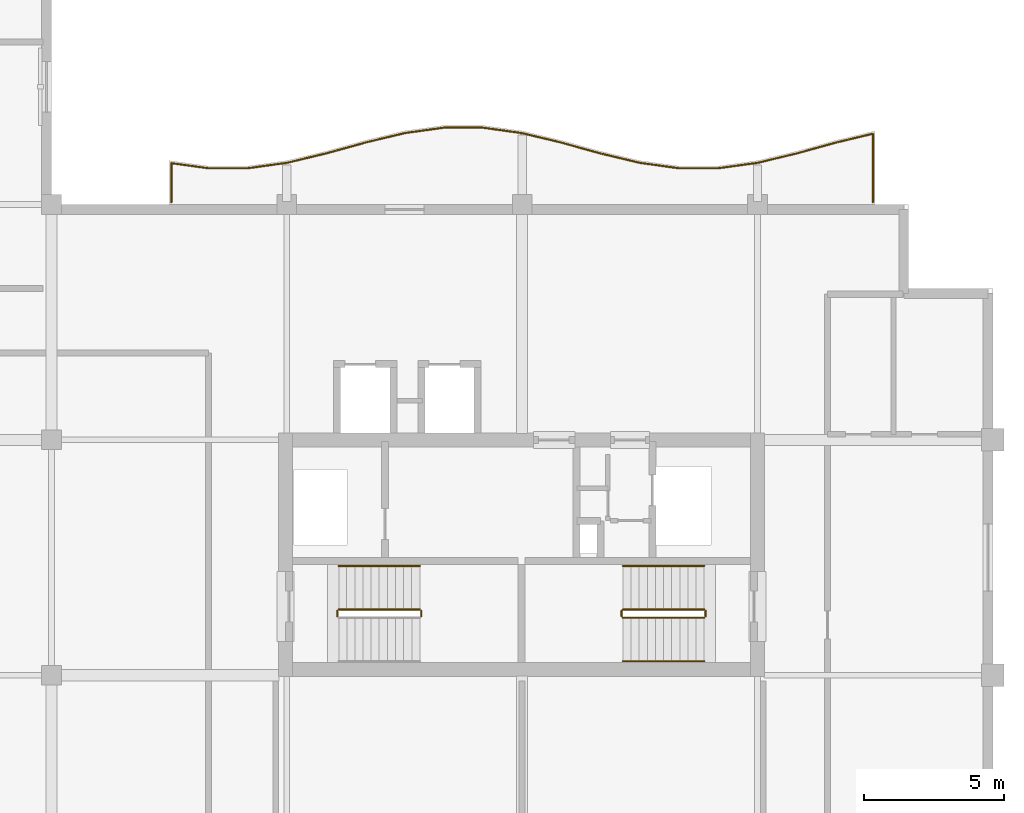
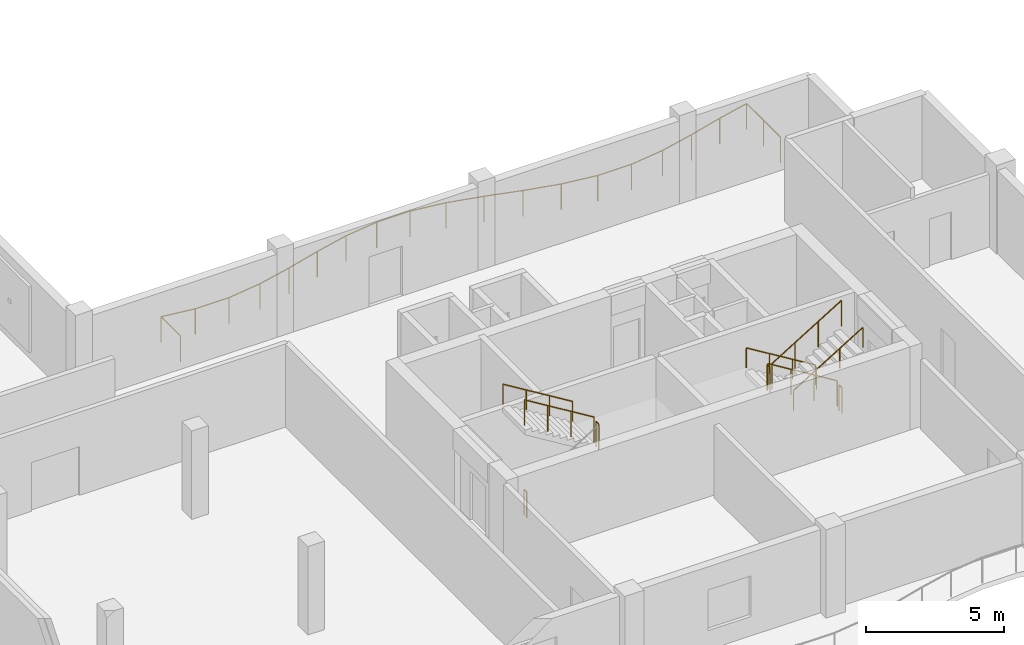
# One storey, part 10 of 11: 11 railings.
"""IFC4 building model written with IfcOpenShell, lengths in metres."""

from ifc_helpers import new_model, si_unit, direction, frame, origin, origin_2d, place, context, subcontext, project, spatial, circle, extrude, material, type_object, element, save


model = new_model("IFC4")

# Units and contexts
model_context = context("Model", 3, precision=1e-05, world=origin(), true_north=direction((0.0, 1.0)))
body_context = subcontext(model_context, "Body", "Model", "MODEL_VIEW")
ifc_project = project(units=[si_unit("LENGTHUNIT", "METRE"), si_unit("AREAUNIT", "SQUARE_METRE"), si_unit("VOLUMEUNIT", "CUBIC_METRE"), si_unit("PLANEANGLEUNIT", "RADIAN"), si_unit("MASSUNIT", "GRAM", prefix="KILO")], contexts=[model_context])

# Site, building, storey
site_placement = place(None, origin())
site = spatial("IfcSite", under=ifc_project, at=site_placement, CompositionType="ELEMENT")
building_placement = place(site_placement, origin())
building = spatial("IfcBuilding", under=site, at=building_placement, Name="Koriwani Terraces Tower", CompositionType="ELEMENT")
storey_placement = place(building_placement, frame((0.0, 0.0, 335.89990234375)))
storey = spatial("IfcBuildingStorey", under=building, at=storey_placement, Name="L83", CompositionType="ELEMENT", Elevation=335.89990234375)

# Railings
ifc_material = material(Name="Steel ASTM A572 Grade 50", Category="steel")
railing_type_1 = type_object("IfcRailingType", Name="GUARD_BALUSTRADE_1150", PredefinedType="BALUSTRADE", material=ifc_material)
railing_1_placement = place(storey_placement, frame((62.919921875, 33.679931640625, 0.0)))
element("IfcRailing", 1, at=railing_1_placement, inside=storey, type_object=railing_type_1, Name="L83 Balcony Perimeter Safety Balustrade (NE)", PredefinedType="BALUSTRADE", context=body_context, shape_type="SweptSolid", body=[
    extrude(circle(Radius=0.02392578125, at=origin_2d()), frame((0.0, 0.0, 1.1259765625), z_axis=(0.0, 1.0, 0.0), x_axis=(-1.0, 0.0, 0.0)), (0.0, 0.0, 1.0), 2.448974609375),
    extrude(circle(Radius=0.02392578125, at=origin_2d()), frame((0.0, 2.448974609375, 1.1259765625), z_axis=(-0.972335887086, -0.233587077307, 0.0), x_axis=(0.233587077307, -0.972335887086, 0.0)), (0.0, 0.0, 1.0), 1.336669921875),
    extrude(circle(Radius=0.02392578125, at=origin_2d()), frame((-1.2998046875, 2.13671875, 1.1259765625), z_axis=(-0.963650193341, -0.26716718525, 0.0), x_axis=(0.26716718525, -0.963650193341, 0.0)), (0.0, 0.0, 1.0), 1.452880859375),
    extrude(circle(Radius=0.02392578125, at=origin_2d()), frame((-2.699951171875, 1.74853515625, 1.1259765625), z_axis=(-0.972404167631, -0.233302667738, 0.0), x_axis=(0.233302667738, -0.972404167631, 0.0)), (0.0, 0.0, 1.0), 1.445068359375),
    extrude(circle(Radius=0.02392578125, at=origin_2d()), frame((-4.105224609375, 1.411376953125, 1.1259765625), z_axis=(-0.990531206111, -0.137287762455, 0.0), x_axis=(0.137287762455, -0.990531206111, 0.0)), (0.0, 0.0, 1.0), 1.422607421875),
    extrude(circle(Radius=0.02392578125, at=origin_2d()), frame((-5.514404296875, 1.216064453125, 1.1259765625), z_axis=(-1.0, 0.0, 0.0), x_axis=(0.0, -1.0, 0.0)), (0.0, 0.0, 1.0), 1.4111328125),
    extrude(circle(Radius=0.02392578125, at=origin_2d()), frame((-6.925537109375, 1.216064453125, 1.1259765625), z_axis=(-0.990531206111, 0.137287762455, 0.0), x_axis=(-0.137287762455, -0.990531206111, 0.0)), (0.0, 0.0, 1.0), 1.422607421875),
    extrude(circle(Radius=0.02392578125, at=origin_2d()), frame((-8.334716796875, 1.411376953125, 1.1259765625), z_axis=(-0.972404167631, 0.233302667738, 0.0), x_axis=(-0.233302667738, -0.972404167631, 0.0)), (0.0, 0.0, 1.0), 1.445068359375),
    extrude(circle(Radius=0.02392578125, at=origin_2d()), frame((-9.739990234375, 1.74853515625, 1.1259765625), z_axis=(-0.963638196753, 0.267210452187, 0.0), x_axis=(-0.267210452187, -0.963638196753, 0.0)), (0.0, 0.0, 1.0), 1.45263671875),
    extrude(circle(Radius=0.02392578125, at=origin_2d()), frame((-11.139892578125, 2.13671875, 1.1259765625), z_axis=(-0.972362581689, 0.23347592966, 0.0), x_axis=(-0.23347592966, -0.972362581689, 0.0)), (0.0, 0.0, 1.0), 1.4345703125),
    extrude(circle(Radius=0.02392578125, at=origin_2d()), frame((-12.534912109375, 2.4716796875, 1.1259765625), z_axis=(-0.990518583157, 0.137378806302, 0.0), x_axis=(-0.137378806302, -0.990518583157, 0.0)), (0.0, 0.0, 1.0), 1.404052734375),
    extrude(circle(Radius=0.02392578125, at=origin_2d()), frame((-13.925537109375, 2.66455078125, 1.1259765625), z_axis=(-1.0, 0.0, 0.0), x_axis=(0.0, -1.0, 0.0)), (0.0, 0.0, 1.0), 1.388916015625),
    extrude(circle(Radius=0.02392578125, at=origin_2d()), frame((-15.314453125, 2.66455078125, 1.1259765625), z_axis=(-0.990518583157, -0.137378806302, 0.0), x_axis=(0.137378806302, -0.990518583157, 0.0)), (0.0, 0.0, 1.0), 1.404052734375),
    extrude(circle(Radius=0.02392578125, at=origin_2d()), frame((-16.705078125, 2.4716796875, 1.1259765625), z_axis=(-0.972353303141, -0.233514568862, 0.0), x_axis=(0.233514568862, -0.972353303141, 0.0)), (0.0, 0.0, 1.0), 1.434326171875),
    extrude(circle(Radius=0.02392578125, at=origin_2d()), frame((-18.099853515625, 2.13671875, 1.1259765625), z_axis=(-0.963650193341, -0.26716718525, 0.0), x_axis=(0.26716718525, -0.963650193341, 0.0)), (0.0, 0.0, 1.0), 1.452880859375),
    extrude(circle(Radius=0.02392578125, at=origin_2d()), frame((-19.5, 1.74853515625, 1.1259765625), z_axis=(-0.972394970075, -0.233340999769, 0.0), x_axis=(0.233340999769, -0.972394970075, 0.0)), (0.0, 0.0, 1.0), 1.44482421875),
    extrude(circle(Radius=0.02392578125, at=origin_2d()), frame((-20.905029296875, 1.411376953125, 1.1259765625), z_axis=(-0.990534439774, -0.137264429555, 0.0), x_axis=(0.137264429555, -0.990534439774, 0.0)), (0.0, 0.0, 1.0), 1.4228515625),
    extrude(circle(Radius=0.02392578125, at=origin_2d()), frame((-22.314453125, 1.216064453125, 1.1259765625), z_axis=(-1.0, 0.0, 0.0), x_axis=(0.0, -1.0, 0.0)), (0.0, 0.0, 1.0), 1.410888671875),
    extrude(circle(Radius=0.02392578125, at=origin_2d()), frame((-23.725341796875, 1.216064453125, 1.1259765625), z_axis=(-0.99056523946, 0.137041987632, 0.0), x_axis=(-0.137041987632, -0.99056523946, 0.0)), (0.0, 0.0, 1.0), 1.3271484375),
    extrude(circle(Radius=0.02392578125, at=origin_2d()), frame((-25.0400390625, 1.39794921875, 1.1259765625), z_axis=(0.0, -1.0, 0.0), x_axis=(1.0, 0.0, 0.0)), (0.0, 0.0, 1.0), 1.39794921875),
    extrude(circle(Radius=0.02099609375, at=origin_2d()), origin(), (0.0, 0.0, 1.0), 1.101806640625),
    extrude(circle(Radius=0.02099609375, at=origin_2d()), frame((0.0, 1.224609375, 0.0)), (0.0, 0.0, 1.0), 1.101806640625),
    extrude(circle(Radius=0.02099609375, at=origin_2d()), frame((0.0, 2.448974609375, 0.0)), (0.0, 0.0, 1.0), 1.101806640625),
    extrude(circle(Radius=0.02099609375, at=origin_2d()), frame((-1.2998046875, 2.13671875, 0.0)), (0.0, 0.0, 1.0), 1.101806640625),
    extrude(circle(Radius=0.02099609375, at=origin_2d()), frame((-2.699951171875, 1.74853515625, 0.0)), (0.0, 0.0, 1.0), 1.101806640625),
    extrude(circle(Radius=0.02099609375, at=origin_2d()), frame((-4.105224609375, 1.411376953125, 0.0)), (0.0, 0.0, 1.0), 1.101806640625),
    extrude(circle(Radius=0.02099609375, at=origin_2d()), frame((-5.514404296875, 1.216064453125, 0.0)), (0.0, 0.0, 1.0), 1.101806640625),
    extrude(circle(Radius=0.02099609375, at=origin_2d()), frame((-6.925537109375, 1.216064453125, 0.0)), (0.0, 0.0, 1.0), 1.101806640625),
    extrude(circle(Radius=0.02099609375, at=origin_2d()), frame((-8.334716796875, 1.411376953125, 0.0)), (0.0, 0.0, 1.0), 1.101806640625),
    extrude(circle(Radius=0.02099609375, at=origin_2d()), frame((-9.739990234375, 1.74853515625, 0.0)), (0.0, 0.0, 1.0), 1.101806640625),
    extrude(circle(Radius=0.02099609375, at=origin_2d()), frame((-11.139892578125, 2.13671875, 0.0)), (0.0, 0.0, 1.0), 1.101806640625),
    extrude(circle(Radius=0.02099609375, at=origin_2d()), frame((-12.534912109375, 2.4716796875, 0.0)), (0.0, 0.0, 1.0), 1.101806640625),
    extrude(circle(Radius=0.02099609375, at=origin_2d()), frame((-13.925537109375, 2.66455078125, 0.0)), (0.0, 0.0, 1.0), 1.101806640625),
    extrude(circle(Radius=0.02099609375, at=origin_2d()), frame((-15.314453125, 2.66455078125, 0.0)), (0.0, 0.0, 1.0), 1.101806640625),
    extrude(circle(Radius=0.02099609375, at=origin_2d()), frame((-16.705078125, 2.4716796875, 0.0)), (0.0, 0.0, 1.0), 1.101806640625),
    extrude(circle(Radius=0.02099609375, at=origin_2d()), frame((-18.099853515625, 2.13671875, 0.0)), (0.0, 0.0, 1.0), 1.101806640625),
    extrude(circle(Radius=0.02099609375, at=origin_2d()), frame((-19.5, 1.74853515625, 0.0)), (0.0, 0.0, 1.0), 1.101806640625),
    extrude(circle(Radius=0.02099609375, at=origin_2d()), frame((-20.905029296875, 1.411376953125, 0.0)), (0.0, 0.0, 1.0), 1.101806640625),
    extrude(circle(Radius=0.02099609375, at=origin_2d()), frame((-22.314453125, 1.216064453125, 0.0)), (0.0, 0.0, 1.0), 1.101806640625),
    extrude(circle(Radius=0.02099609375, at=origin_2d()), frame((-23.725341796875, 1.216064453125, 0.0)), (0.0, 0.0, 1.0), 1.101806640625),
    extrude(circle(Radius=0.02099609375, at=origin_2d()), frame((-25.0400390625, 1.39794921875, 0.0)), (0.0, 0.0, 1.0), 1.101806640625),
    extrude(circle(Radius=0.02099609375, at=origin_2d()), frame((-25.0400390625, 0.0, 0.0)), (0.0, 0.0, 1.0), 1.101806640625),
])
railing_type_2 = type_object("IfcRailingType", Name="GUARD_STAIR_WELL_1120", PredefinedType="GUARDRAIL", material=ifc_material)
railing_2_placement = place(storey_placement, frame((46.800048828125, 18.89990234375, 1.9501953125)))
element("IfcRailing", 2, at=railing_2_placement, inside=storey, type_object=railing_type_2, Name="L83 ST-E1 stair guard 2", PredefinedType="GUARDRAIL", context=body_context, shape_type="SweptSolid", body=[
    extrude(circle(Radius=0.02392578125, at=origin_2d()), frame((0.0, 0.0, 1.1259765625), z_axis=(0.0, 1.0, 0.0), x_axis=(-1.0, 0.0, 0.0)), (0.0, 0.0, 1.0), 0.2001953125),
    extrude(circle(Radius=0.02099609375, at=origin_2d()), origin(), (0.0, 0.0, 1.0), 1.101806640625),
    extrude(circle(Radius=0.02099609375, at=origin_2d()), frame((0.0, 0.2001953125, 0.0)), (0.0, 0.0, 1.0), 1.101806640625),
])
railing_3_placement = place(storey_placement, frame((46.75, 19.14990234375, 2.12744140625)))
element("IfcRailing", 3, at=railing_3_placement, inside=storey, type_object=railing_type_2, Name="L83 ST-E1 stair guard 3", PredefinedType="GUARDRAIL", context=body_context, shape_type="SweptSolid", body=[
    extrude(circle(Radius=0.02392578125, at=origin_2d()), frame((0.0, 0.0, 1.1259765625), z_axis=(-0.853210801645, 0.0, 0.521566225858), x_axis=(0.0, -1.0, 0.0)), (0.0, 0.0, 1.0), 3.39892578125),
    extrude(circle(Radius=0.02099609375, at=origin_2d()), origin(), (0.0, 0.0, 1.0), 1.101806640625),
    extrude(circle(Radius=0.02099609375, at=origin_2d()), frame((-0.966552734375, 0.0, 0.5908203125)), (0.0, 0.0, 1.0), 1.101806640625),
    extrude(circle(Radius=0.02099609375, at=origin_2d()), frame((-1.933349609375, 0.0, 1.181884765625)), (0.0, 0.0, 1.0), 1.101806640625),
    extrude(circle(Radius=0.02099609375, at=origin_2d()), frame((-2.89990234375, 0.0, 1.772705078125)), (0.0, 0.0, 1.0), 1.101806640625),
])
railing_4_placement = place(storey_placement, frame((43.800048828125, 18.89990234375, 0.0)))
element("IfcRailing", 4, at=railing_4_placement, inside=storey, type_object=railing_type_2, Name="L83 ST-E1 stair guard 4", PredefinedType="GUARDRAIL", context=body_context, shape_type="SweptSolid", body=[
    extrude(circle(Radius=0.02392578125, at=origin_2d()), frame((0.0, 0.0, 1.1259765625), z_axis=(0.0, 1.0, 0.0), x_axis=(-1.0, 0.0, 0.0)), (0.0, 0.0, 1.0), 0.2001953125),
    extrude(circle(Radius=0.02099609375, at=origin_2d()), origin(), (0.0, 0.0, 1.0), 1.101806640625),
    extrude(circle(Radius=0.02099609375, at=origin_2d()), frame((0.0, 0.2001953125, 0.0)), (0.0, 0.0, 1.0), 1.101806640625),
])
railing_5_placement = place(storey_placement, frame((56.89990234375, 19.14990234375, 0.177490234375)))
element("IfcRailing", 5, at=railing_5_placement, inside=storey, type_object=railing_type_2, Name="L83 ST-E2 stair guard 1", PredefinedType="GUARDRAIL", context=body_context, shape_type="SweptSolid", body=[
    extrude(circle(Radius=0.02392578125, at=origin_2d()), frame((0.0, 0.0, 1.1259765625), z_axis=(-0.853210801645, 0.0, 0.521566225858), x_axis=(0.0, -1.0, 0.0)), (0.0, 0.0, 1.0), 3.39892578125),
    extrude(circle(Radius=0.02099609375, at=origin_2d()), origin(), (0.0, 0.0, 1.0), 1.101806640625),
    extrude(circle(Radius=0.02099609375, at=origin_2d()), frame((-0.966552734375, 0.0, 0.5908203125)), (0.0, 0.0, 1.0), 1.101806640625),
    extrude(circle(Radius=0.02099609375, at=origin_2d()), frame((-1.933349609375, 0.0, 1.181884765625)), (0.0, 0.0, 1.0), 1.101806640625),
    extrude(circle(Radius=0.02099609375, at=origin_2d()), frame((-2.89990234375, 0.0, 1.772705078125)), (0.0, 0.0, 1.0), 1.101806640625),
])
railing_6_placement = place(storey_placement, frame((53.949951171875, 19.10009765625, 1.9501953125)))
element("IfcRailing", 6, at=railing_6_placement, inside=storey, type_object=railing_type_2, Name="L83 ST-E2 stair guard 2", PredefinedType="GUARDRAIL", context=body_context, shape_type="SweptSolid", body=[
    extrude(circle(Radius=0.02392578125, at=origin_2d()), frame((0.0, 0.0, 1.1259765625), z_axis=(0.0, -1.0, 0.0), x_axis=(1.0, 0.0, 0.0)), (0.0, 0.0, 1.0), 0.2001953125),
    extrude(circle(Radius=0.02099609375, at=origin_2d()), origin(), (0.0, 0.0, 1.0), 1.101806640625),
    extrude(circle(Radius=0.02099609375, at=origin_2d()), frame((0.0, -0.2001953125, 0.0)), (0.0, 0.0, 1.0), 1.101806640625),
])
railing_7_placement = place(storey_placement, frame((54.0, 18.85009765625, 2.12744140625)))
element("IfcRailing", 7, at=railing_7_placement, inside=storey, type_object=railing_type_2, Name="L83 ST-E2 stair guard 3", PredefinedType="GUARDRAIL", context=body_context, shape_type="SweptSolid", body=[
    extrude(circle(Radius=0.02392578125, at=origin_2d()), frame((0.0, 0.0, 1.1259765625), z_axis=(0.853210801645, 0.0, 0.521566225858), x_axis=(0.0, 1.0, 0.0)), (0.0, 0.0, 1.0), 3.39892578125),
    extrude(circle(Radius=0.02099609375, at=origin_2d()), origin(), (0.0, 0.0, 1.0), 1.101806640625),
    extrude(circle(Radius=0.02099609375, at=origin_2d()), frame((0.966552734375, 0.0, 0.5908203125)), (0.0, 0.0, 1.0), 1.101806640625),
    extrude(circle(Radius=0.02099609375, at=origin_2d()), frame((1.933349609375, 0.0, 1.181884765625)), (0.0, 0.0, 1.0), 1.101806640625),
    extrude(circle(Radius=0.02099609375, at=origin_2d()), frame((2.89990234375, 0.0, 1.772705078125)), (0.0, 0.0, 1.0), 1.101806640625),
])
railing_8_placement = place(storey_placement, frame((56.949951171875, 19.10009765625, 0.0)))
element("IfcRailing", 8, at=railing_8_placement, inside=storey, type_object=railing_type_2, Name="L83 ST-E2 stair guard 4", PredefinedType="GUARDRAIL", context=body_context, shape_type="SweptSolid", body=[
    extrude(circle(Radius=0.02392578125, at=origin_2d()), frame((0.0, 0.0, 1.1259765625), z_axis=(0.0, -1.0, 0.0), x_axis=(1.0, 0.0, 0.0)), (0.0, 0.0, 1.0), 0.2001953125),
    extrude(circle(Radius=0.02099609375, at=origin_2d()), origin(), (0.0, 0.0, 1.0), 1.101806640625),
    extrude(circle(Radius=0.02099609375, at=origin_2d()), frame((0.0, -0.2001953125, 0.0)), (0.0, 0.0, 1.0), 1.101806640625),
])
railing_type_3 = type_object("IfcRailingType", Name="HANDRAIL_STAIR_920", PredefinedType="HANDRAIL", material=ifc_material)
for number, where, name in (
    (9, (46.75, 20.699951171875, 2.12744140625), "L83 ST-E1 stair handrail 2"),
    (10, (56.89990234375, 20.699951171875, 0.177490234375), "L83 ST-E2 stair handrail 1"),
):
    element("IfcRailing", number, at=place(storey_placement, frame(where)), inside=storey, type_object=railing_type_3, Name=name, PredefinedType="HANDRAIL", context=body_context, shape_type="SweptSolid", body=[
        extrude(circle(Radius=0.02392578125, at=origin_2d()), frame((0.0, 0.0, 0.8759765625), z_axis=(-0.853210801645, 0.0, 0.521566225858), x_axis=(0.0, -1.0, 0.0)), (0.0, 0.0, 1.0), 3.39892578125),
        extrude(circle(Radius=0.02099609375, at=origin_2d()), origin(), (0.0, 0.0, 1.0), 0.851806640625),
        extrude(circle(Radius=0.02099609375, at=origin_2d()), frame((-0.966552734375, 0.0, 0.5908203125)), (0.0, 0.0, 1.0), 0.851806640625),
        extrude(circle(Radius=0.02099609375, at=origin_2d()), frame((-1.933349609375, 0.0, 1.181884765625)), (0.0, 0.0, 1.0), 0.851806640625),
        extrude(circle(Radius=0.02099609375, at=origin_2d()), frame((-2.89990234375, 0.0, 1.772705078125)), (0.0, 0.0, 1.0), 0.851806640625),
    ])
railing_9_placement = place(storey_placement, frame((54.0, 17.300048828125, 2.12744140625)))
element("IfcRailing", 11, at=railing_9_placement, inside=storey, type_object=railing_type_3, Name="L83 ST-E2 stair handrail 2", PredefinedType="HANDRAIL", context=body_context, shape_type="SweptSolid", body=[
    extrude(circle(Radius=0.02392578125, at=origin_2d()), frame((0.0, 0.0, 0.8759765625), z_axis=(0.853210801645, 0.0, 0.521566225858), x_axis=(0.0, 1.0, 0.0)), (0.0, 0.0, 1.0), 3.39892578125),
    extrude(circle(Radius=0.02099609375, at=origin_2d()), origin(), (0.0, 0.0, 1.0), 0.851806640625),
    extrude(circle(Radius=0.02099609375, at=origin_2d()), frame((0.966552734375, 0.0, 0.5908203125)), (0.0, 0.0, 1.0), 0.851806640625),
    extrude(circle(Radius=0.02099609375, at=origin_2d()), frame((1.933349609375, 0.0, 1.181884765625)), (0.0, 0.0, 1.0), 0.851806640625),
    extrude(circle(Radius=0.02099609375, at=origin_2d()), frame((2.89990234375, 0.0, 1.772705078125)), (0.0, 0.0, 1.0), 0.851806640625),
])

save(model, "model.ifc")
